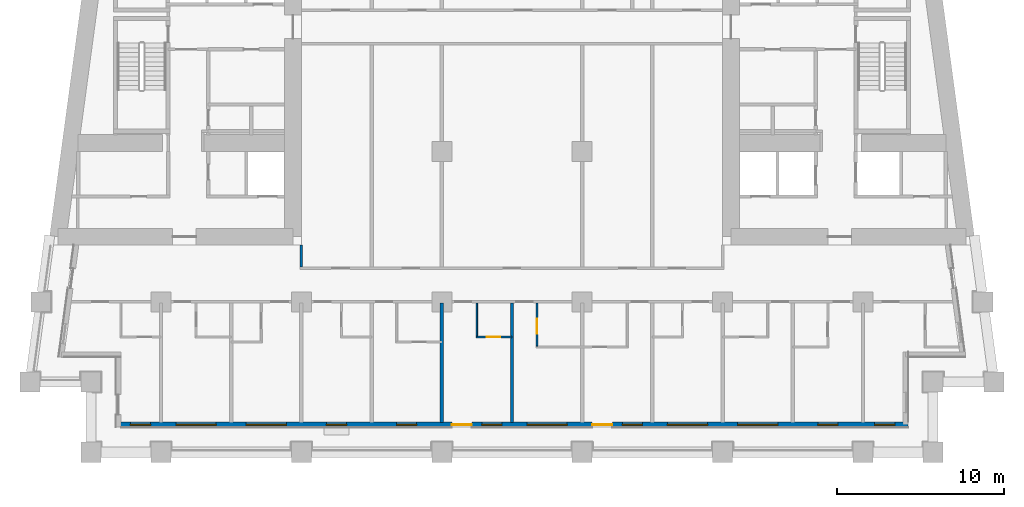
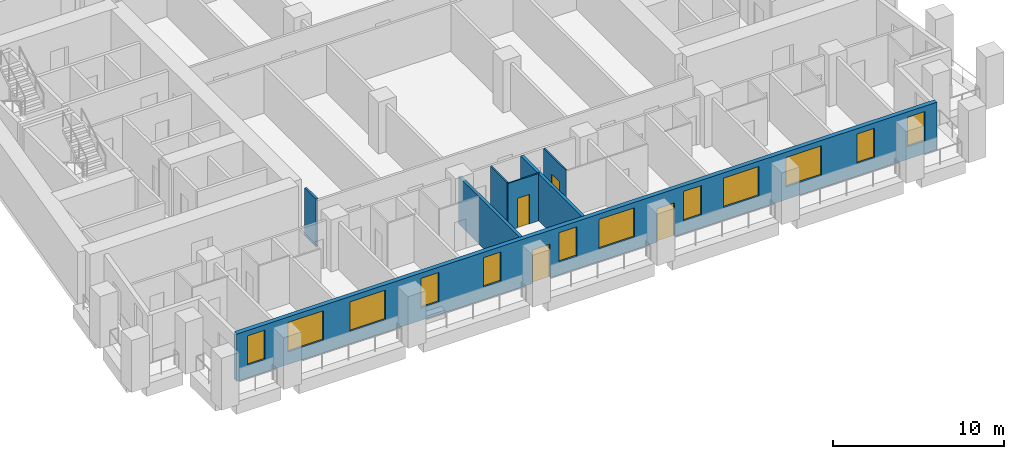
# One storey, part 3 of 14: 12 windows, 7 walls, 4 doors, 16 openings.
"""IFC4 building model written with IfcOpenShell, lengths in metres."""

from ifc_helpers import new_model, si_unit, direction, frame, frame_2d, origin, place, context, subcontext, project, spatial, rectangle, extrude, material, layer, layer_set, type_object, element, fill, save


model = new_model("IFC4")

# Units and contexts
model_context = context("Model", 3, precision=1e-05, world=origin(), true_north=direction((0.0, 1.0)))
body_context = subcontext(model_context, "Body", "Model", "MODEL_VIEW")
ifc_project = project(units=[si_unit("LENGTHUNIT", "METRE"), si_unit("AREAUNIT", "SQUARE_METRE"), si_unit("VOLUMEUNIT", "CUBIC_METRE"), si_unit("PLANEANGLEUNIT", "RADIAN"), si_unit("MASSUNIT", "GRAM", prefix="KILO")], contexts=[model_context])

# Site, building, storey
site_placement = place(None, origin())
site = spatial("IfcSite", under=ifc_project, at=site_placement, CompositionType="ELEMENT")
building_placement = place(site_placement, origin())
building = spatial("IfcBuilding", under=site, at=building_placement, Name="Candeia Pilgrim Tower and Theatre", CompositionType="ELEMENT")
storey_placement = place(building_placement, frame((0.0, 0.0, 120.60009765625)))
storey = spatial("IfcBuildingStorey", under=building, at=storey_placement, Name="L28", CompositionType="ELEMENT", Elevation=120.60009765625)

# Wall, openings, doors, windows
ifc_material_1 = material(Name="Ceramic block masonry", Category="masonry")
ifc_layer_1 = layer(ifc_material_1, 0.300048828125)
ifc_layer_set_1 = layer_set([ifc_layer_1], Name="EW1 glazing-line wall 300")
wall_type_1 = type_object("IfcWallType", Name="EW1 glazing-line wall 300", PredefinedType="SOLIDWALL", material=ifc_layer_set_1)
wall_1_placement = place(storey_placement, frame((89.85009765625, 99.64990234375, 0.0), z_axis=(0.0, 0.0, 1.0), x_axis=(1.0, 0.0, 0.0)))
wall_1 = element("IfcWall", 1, at=wall_1_placement, inside=storey, type_object=wall_type_1, Name="External wall L28-0.0", PredefinedType="SOLIDWALL", context=body_context, shape_type="SweptSolid", body=[
    extrude(rectangle(XDim=47.25, YDim=0.300048828125, at=frame_2d((23.625, 0.0))), origin(), (0.0, 0.0, 1.0), 3.3798828125),
])
opening_1_placement = place(wall_1_placement, frame((0.72509765625, 0.0, 0.89990234375)))
opening_1 = element("IfcOpeningElement", 2, at=opening_1_placement, cuts=wall_1, Name="Opening W-B", PredefinedType="OPENING", context=body_context, shape_type="SweptSolid", body=[
    extrude(rectangle(XDim=1.199951171875, YDim=2.10009765625, at=frame_2d((0.60009765625, 1.050048828125))), frame((0.0, 0.16015625, 0.0), z_axis=(0.0, -1.0, 0.0), x_axis=(1.0, 0.0, 0.0)), (0.0, 0.0, 1.0), 0.320068359375),
])
opening_2_placement = place(wall_1_placement, frame((3.449951171875, 0.0, 0.89990234375)))
opening_2 = element("IfcOpeningElement", 3, at=opening_2_placement, cuts=wall_1, Name="Opening W-A", PredefinedType="OPENING", context=body_context, shape_type="SweptSolid", body=[
    extrude(rectangle(XDim=2.39990234375, YDim=2.10009765625, at=frame_2d((1.199951171875, 1.050048828125))), frame((0.0, 0.16015625, 0.0), z_axis=(0.0, -1.0, 0.0), x_axis=(1.0, 0.0, 0.0)), (0.0, 0.0, 1.0), 0.320068359375),
])
opening_3_placement = place(wall_1_placement, frame((7.64990234375, 0.0, 0.89990234375)))
opening_3 = element("IfcOpeningElement", 4, at=opening_3_placement, cuts=wall_1, Name="Opening W-A", PredefinedType="OPENING", context=body_context, shape_type="SweptSolid", body=[
    extrude(rectangle(XDim=2.39990234375, YDim=2.10009765625, at=frame_2d((1.199951171875, 1.050048828125))), frame((0.0, 0.16015625, 0.0), z_axis=(0.0, -1.0, 0.0), x_axis=(1.0, 0.0, 0.0)), (0.0, 0.0, 1.0), 0.320068359375),
])
opening_4_placement = place(wall_1_placement, frame((12.449951171875, 0.0, 0.89990234375)))
opening_4 = element("IfcOpeningElement", 5, at=opening_4_placement, cuts=wall_1, Name="Opening W-B", PredefinedType="OPENING", context=body_context, shape_type="SweptSolid", body=[
    extrude(rectangle(XDim=1.199951171875, YDim=2.10009765625, at=frame_2d((0.60009765625, 1.050048828125))), frame((0.0, 0.16015625, 0.0), z_axis=(0.0, -1.0, 0.0), x_axis=(1.0, 0.0, 0.0)), (0.0, 0.0, 1.0), 0.320068359375),
])
opening_5_placement = place(wall_1_placement, frame((16.64990234375, 0.0, 0.89990234375)))
opening_5 = element("IfcOpeningElement", 6, at=opening_5_placement, cuts=wall_1, Name="Opening W-B", PredefinedType="OPENING", context=body_context, shape_type="SweptSolid", body=[
    extrude(rectangle(XDim=1.199951171875, YDim=2.10009765625, at=frame_2d((0.60009765625, 1.050048828125))), frame((0.0, 0.16015625, 0.0), z_axis=(0.0, -1.0, 0.0), x_axis=(1.0, 0.0, 0.0)), (0.0, 0.0, 1.0), 0.320068359375),
])
opening_6_placement = place(wall_1_placement, frame((19.949951171875, 0.0, 0.0)))
opening_6 = element("IfcOpeningElement", 7, at=opening_6_placement, cuts=wall_1, Name="Opening L28-ED281", PredefinedType="OPENING", context=body_context, shape_type="SweptSolid", body=[
    extrude(rectangle(XDim=1.199951171875, YDim=2.39990234375, at=frame_2d((0.60009765625, 1.199951171875))), frame((0.0, 0.16015625, 0.0), z_axis=(0.0, -1.0, 0.0), x_axis=(1.0, 0.0, 0.0)), (0.0, 0.0, 1.0), 0.320068359375),
])
opening_7_placement = place(wall_1_placement, frame((21.75, 0.0, 0.89990234375)))
opening_7 = element("IfcOpeningElement", 8, at=opening_7_placement, cuts=wall_1, Name="Opening W-B", PredefinedType="OPENING", context=body_context, shape_type="SweptSolid", body=[
    extrude(rectangle(XDim=1.199951171875, YDim=2.10009765625, at=frame_2d((0.60009765625, 1.050048828125))), frame((0.0, 0.16015625, 0.0), z_axis=(0.0, -1.0, 0.0), x_axis=(1.0, 0.0, 0.0)), (0.0, 0.0, 1.0), 0.320068359375),
])
opening_8_placement = place(wall_1_placement, frame((24.449951171875, 0.0, 0.89990234375)))
opening_8 = element("IfcOpeningElement", 9, at=opening_8_placement, cuts=wall_1, Name="Opening W-A", PredefinedType="OPENING", context=body_context, shape_type="SweptSolid", body=[
    extrude(rectangle(XDim=2.39990234375, YDim=2.10009765625, at=frame_2d((1.199951171875, 1.050048828125))), frame((0.0, 0.16015625, 0.0), z_axis=(0.0, -1.0, 0.0), x_axis=(1.0, 0.0, 0.0)), (0.0, 0.0, 1.0), 0.320068359375),
])
opening_9_placement = place(wall_1_placement, frame((28.35009765625, 0.0, 0.0)))
opening_9 = element("IfcOpeningElement", 10, at=opening_9_placement, cuts=wall_1, Name="Opening L28-ED282", PredefinedType="OPENING", context=body_context, shape_type="SweptSolid", body=[
    extrude(rectangle(XDim=1.199951171875, YDim=2.39990234375, at=frame_2d((0.60009765625, 1.199951171875))), frame((0.0, 0.16015625, 0.0), z_axis=(0.0, -1.0, 0.0), x_axis=(1.0, 0.0, 0.0)), (0.0, 0.0, 1.0), 0.320068359375),
])
opening_10_placement = place(wall_1_placement, frame((30.14990234375, 0.0, 0.89990234375)))
opening_10 = element("IfcOpeningElement", 11, at=opening_10_placement, cuts=wall_1, Name="Opening W-B", PredefinedType="OPENING", context=body_context, shape_type="SweptSolid", body=[
    extrude(rectangle(XDim=1.199951171875, YDim=2.10009765625, at=frame_2d((0.60009765625, 1.050048828125))), frame((0.0, 0.16015625, 0.0), z_axis=(0.0, -1.0, 0.0), x_axis=(1.0, 0.0, 0.0)), (0.0, 0.0, 1.0), 0.320068359375),
])
opening_11_placement = place(wall_1_placement, frame((32.85009765625, 0.0, 0.89990234375)))
opening_11 = element("IfcOpeningElement", 12, at=opening_11_placement, cuts=wall_1, Name="Opening W-A", PredefinedType="OPENING", context=body_context, shape_type="SweptSolid", body=[
    extrude(rectangle(XDim=2.39990234375, YDim=2.10009765625, at=frame_2d((1.199951171875, 1.050048828125))), frame((0.0, 0.16015625, 0.0), z_axis=(0.0, -1.0, 0.0), x_axis=(1.0, 0.0, 0.0)), (0.0, 0.0, 1.0), 0.320068359375),
])
opening_12_placement = place(wall_1_placement, frame((37.050048828125, 0.0, 0.89990234375)))
opening_12 = element("IfcOpeningElement", 13, at=opening_12_placement, cuts=wall_1, Name="Opening W-A", PredefinedType="OPENING", context=body_context, shape_type="SweptSolid", body=[
    extrude(rectangle(XDim=2.39990234375, YDim=2.10009765625, at=frame_2d((1.199951171875, 1.050048828125))), frame((0.0, 0.16015625, 0.0), z_axis=(0.0, -1.0, 0.0), x_axis=(1.0, 0.0, 0.0)), (0.0, 0.0, 1.0), 0.320068359375),
])
opening_13_placement = place(wall_1_placement, frame((41.85009765625, 0.0, 0.89990234375)))
opening_13 = element("IfcOpeningElement", 14, at=opening_13_placement, cuts=wall_1, Name="Opening W-B", PredefinedType="OPENING", context=body_context, shape_type="SweptSolid", body=[
    extrude(rectangle(XDim=1.199951171875, YDim=2.10009765625, at=frame_2d((0.60009765625, 1.050048828125))), frame((0.0, 0.16015625, 0.0), z_axis=(0.0, -1.0, 0.0), x_axis=(1.0, 0.0, 0.0)), (0.0, 0.0, 1.0), 0.320068359375),
])
opening_14_placement = place(wall_1_placement, frame((45.25, 0.0, 0.89990234375)))
opening_14 = element("IfcOpeningElement", 15, at=opening_14_placement, cuts=wall_1, Name="Opening W-B", PredefinedType="OPENING", context=body_context, shape_type="SweptSolid", body=[
    extrude(rectangle(XDim=1.199951171875, YDim=2.10009765625, at=frame_2d((0.60009765625, 1.050048828125))), frame((0.0, 0.16015625, 0.0), z_axis=(0.0, -1.0, 0.0), x_axis=(1.0, 0.0, 0.0)), (0.0, 0.0, 1.0), 0.320068359375),
])
ifc_material_2 = material(Name="Aluminium framed glazed door", Category="aluminium")
door_type_1 = type_object("IfcDoorType", Name="Loggia door 1200x2400", OperationType="DOUBLE_DOOR_SINGLE_SWING", PredefinedType="DOOR", material=ifc_material_2)
door_1_placement = place(opening_6_placement, origin())
door_1 = element("IfcDoor", 16, at=door_1_placement, inside=storey, type_object=door_type_1, Name="Loggia door L28-ED281", OperationType="DOUBLE_DOOR_SINGLE_SWING", OverallHeight=2.39990234375, OverallWidth=1.199951171875, PredefinedType="DOOR", context=body_context, shape_type="SweptSolid", body=[
    extrude(rectangle(XDim=1.199951171875, YDim=2.39990234375, at=frame_2d((0.60009765625, 1.199951171875))), frame((0.0, 0.02490234375, 0.0), z_axis=(0.0, -1.0, 0.0), x_axis=(1.0, 0.0, 0.0)), (0.0, 0.0, 1.0), 0.050048828125),
])
fill(opening_6, door_1)
door_2_placement = place(opening_9_placement, origin())
door_2 = element("IfcDoor", 17, at=door_2_placement, inside=storey, type_object=door_type_1, Name="Loggia door L28-ED282", OperationType="DOUBLE_DOOR_SINGLE_SWING", OverallHeight=2.39990234375, OverallWidth=1.199951171875, PredefinedType="DOOR", context=body_context, shape_type="SweptSolid", body=[
    extrude(rectangle(XDim=1.199951171875, YDim=2.39990234375, at=frame_2d((0.60009765625, 1.199951171875))), frame((0.0, 0.02490234375, 0.0), z_axis=(0.0, -1.0, 0.0), x_axis=(1.0, 0.0, 0.0)), (0.0, 0.0, 1.0), 0.050048828125),
])
fill(opening_9, door_2)
ifc_material_3 = material(Name="Aluminium framed double glazing", Category="aluminium")
window_type_1 = type_object("IfcWindowType", Name="W-A window 2400x2100", PartitioningType="DOUBLE_PANEL_VERTICAL", PredefinedType="WINDOW", material=ifc_material_3)
window_1_placement = place(opening_2_placement, origin())
window_1 = element("IfcWindow", 18, at=window_1_placement, inside=storey, type_object=window_type_1, Name="Window W-A L28", OverallHeight=2.10009765625, OverallWidth=2.39990234375, PartitioningType="SINGLE_PANEL", PredefinedType="WINDOW", context=body_context, shape_type="SweptSolid", body=[
    extrude(rectangle(XDim=2.39990234375, YDim=2.10009765625, at=frame_2d((1.199951171875, 1.050048828125))), frame((0.0, 0.030029296875, 0.0), z_axis=(0.0, -1.0, 0.0), x_axis=(1.0, 0.0, 0.0)), (0.0, 0.0, 1.0), 0.06005859375),
])
fill(opening_2, window_1)
window_2_placement = place(opening_3_placement, origin())
window_2 = element("IfcWindow", 19, at=window_2_placement, inside=storey, type_object=window_type_1, Name="Window W-A L28", OverallHeight=2.10009765625, OverallWidth=2.39990234375, PartitioningType="SINGLE_PANEL", PredefinedType="WINDOW", context=body_context, shape_type="SweptSolid", body=[
    extrude(rectangle(XDim=2.39990234375, YDim=2.10009765625, at=frame_2d((1.199951171875, 1.050048828125))), frame((0.0, 0.030029296875, 0.0), z_axis=(0.0, -1.0, 0.0), x_axis=(1.0, 0.0, 0.0)), (0.0, 0.0, 1.0), 0.06005859375),
])
fill(opening_3, window_2)
window_3_placement = place(opening_8_placement, origin())
window_3 = element("IfcWindow", 20, at=window_3_placement, inside=storey, type_object=window_type_1, Name="Window W-A L28", OverallHeight=2.10009765625, OverallWidth=2.39990234375, PartitioningType="SINGLE_PANEL", PredefinedType="WINDOW", context=body_context, shape_type="SweptSolid", body=[
    extrude(rectangle(XDim=2.39990234375, YDim=2.10009765625, at=frame_2d((1.199951171875, 1.050048828125))), frame((0.0, 0.030029296875, 0.0), z_axis=(0.0, -1.0, 0.0), x_axis=(1.0, 0.0, 0.0)), (0.0, 0.0, 1.0), 0.06005859375),
])
fill(opening_8, window_3)
window_4_placement = place(opening_11_placement, origin())
window_4 = element("IfcWindow", 21, at=window_4_placement, inside=storey, type_object=window_type_1, Name="Window W-A L28", OverallHeight=2.10009765625, OverallWidth=2.39990234375, PartitioningType="SINGLE_PANEL", PredefinedType="WINDOW", context=body_context, shape_type="SweptSolid", body=[
    extrude(rectangle(XDim=2.39990234375, YDim=2.10009765625, at=frame_2d((1.199951171875, 1.050048828125))), frame((0.0, 0.030029296875, 0.0), z_axis=(0.0, -1.0, 0.0), x_axis=(1.0, 0.0, 0.0)), (0.0, 0.0, 1.0), 0.06005859375),
])
fill(opening_11, window_4)
window_5_placement = place(opening_12_placement, origin())
window_5 = element("IfcWindow", 22, at=window_5_placement, inside=storey, type_object=window_type_1, Name="Window W-A L28", OverallHeight=2.10009765625, OverallWidth=2.39990234375, PartitioningType="SINGLE_PANEL", PredefinedType="WINDOW", context=body_context, shape_type="SweptSolid", body=[
    extrude(rectangle(XDim=2.39990234375, YDim=2.10009765625, at=frame_2d((1.199951171875, 1.050048828125))), frame((0.0, 0.030029296875, 0.0), z_axis=(0.0, -1.0, 0.0), x_axis=(1.0, 0.0, 0.0)), (0.0, 0.0, 1.0), 0.06005859375),
])
fill(opening_12, window_5)
window_type_2 = type_object("IfcWindowType", Name="W-B window 1200x2100", PartitioningType="SINGLE_PANEL", PredefinedType="WINDOW", material=ifc_material_3)
window_6_placement = place(opening_1_placement, origin())
window_6 = element("IfcWindow", 23, at=window_6_placement, inside=storey, type_object=window_type_2, Name="Window W-B L28", OverallHeight=2.10009765625, OverallWidth=1.199951171875, PartitioningType="SINGLE_PANEL", PredefinedType="WINDOW", context=body_context, shape_type="SweptSolid", body=[
    extrude(rectangle(XDim=1.199951171875, YDim=2.10009765625, at=frame_2d((0.60009765625, 1.050048828125))), frame((0.0, 0.030029296875, 0.0), z_axis=(0.0, -1.0, 0.0), x_axis=(1.0, 0.0, 0.0)), (0.0, 0.0, 1.0), 0.06005859375),
])
fill(opening_1, window_6)
window_7_placement = place(opening_4_placement, origin())
window_7 = element("IfcWindow", 24, at=window_7_placement, inside=storey, type_object=window_type_2, Name="Window W-B L28", OverallHeight=2.10009765625, OverallWidth=1.199951171875, PartitioningType="SINGLE_PANEL", PredefinedType="WINDOW", context=body_context, shape_type="SweptSolid", body=[
    extrude(rectangle(XDim=1.199951171875, YDim=2.10009765625, at=frame_2d((0.60009765625, 1.050048828125))), frame((0.0, 0.030029296875, 0.0), z_axis=(0.0, -1.0, 0.0), x_axis=(1.0, 0.0, 0.0)), (0.0, 0.0, 1.0), 0.06005859375),
])
fill(opening_4, window_7)
window_8_placement = place(opening_5_placement, origin())
window_8 = element("IfcWindow", 25, at=window_8_placement, inside=storey, type_object=window_type_2, Name="Window W-B L28", OverallHeight=2.10009765625, OverallWidth=1.199951171875, PartitioningType="SINGLE_PANEL", PredefinedType="WINDOW", context=body_context, shape_type="SweptSolid", body=[
    extrude(rectangle(XDim=1.199951171875, YDim=2.10009765625, at=frame_2d((0.60009765625, 1.050048828125))), frame((0.0, 0.030029296875, 0.0), z_axis=(0.0, -1.0, 0.0), x_axis=(1.0, 0.0, 0.0)), (0.0, 0.0, 1.0), 0.06005859375),
])
fill(opening_5, window_8)
window_9_placement = place(opening_7_placement, origin())
window_9 = element("IfcWindow", 26, at=window_9_placement, inside=storey, type_object=window_type_2, Name="Window W-B L28", OverallHeight=2.10009765625, OverallWidth=1.199951171875, PartitioningType="SINGLE_PANEL", PredefinedType="WINDOW", context=body_context, shape_type="SweptSolid", body=[
    extrude(rectangle(XDim=1.199951171875, YDim=2.10009765625, at=frame_2d((0.60009765625, 1.050048828125))), frame((0.0, 0.030029296875, 0.0), z_axis=(0.0, -1.0, 0.0), x_axis=(1.0, 0.0, 0.0)), (0.0, 0.0, 1.0), 0.06005859375),
])
fill(opening_7, window_9)
window_10_placement = place(opening_10_placement, origin())
window_10 = element("IfcWindow", 27, at=window_10_placement, inside=storey, type_object=window_type_2, Name="Window W-B L28", OverallHeight=2.10009765625, OverallWidth=1.199951171875, PartitioningType="SINGLE_PANEL", PredefinedType="WINDOW", context=body_context, shape_type="SweptSolid", body=[
    extrude(rectangle(XDim=1.199951171875, YDim=2.10009765625, at=frame_2d((0.60009765625, 1.050048828125))), frame((0.0, 0.030029296875, 0.0), z_axis=(0.0, -1.0, 0.0), x_axis=(1.0, 0.0, 0.0)), (0.0, 0.0, 1.0), 0.06005859375),
])
fill(opening_10, window_10)
window_11_placement = place(opening_13_placement, origin())
window_11 = element("IfcWindow", 28, at=window_11_placement, inside=storey, type_object=window_type_2, Name="Window W-B L28", OverallHeight=2.10009765625, OverallWidth=1.199951171875, PartitioningType="SINGLE_PANEL", PredefinedType="WINDOW", context=body_context, shape_type="SweptSolid", body=[
    extrude(rectangle(XDim=1.199951171875, YDim=2.10009765625, at=frame_2d((0.60009765625, 1.050048828125))), frame((0.0, 0.030029296875, 0.0), z_axis=(0.0, -1.0, 0.0), x_axis=(1.0, 0.0, 0.0)), (0.0, 0.0, 1.0), 0.06005859375),
])
fill(opening_13, window_11)
window_12_placement = place(opening_14_placement, origin())
window_12 = element("IfcWindow", 29, at=window_12_placement, inside=storey, type_object=window_type_2, Name="Window W-B L28", OverallHeight=2.10009765625, OverallWidth=1.199951171875, PartitioningType="SINGLE_PANEL", PredefinedType="WINDOW", context=body_context, shape_type="SweptSolid", body=[
    extrude(rectangle(XDim=1.199951171875, YDim=2.10009765625, at=frame_2d((0.60009765625, 1.050048828125))), frame((0.0, 0.030029296875, 0.0), z_axis=(0.0, -1.0, 0.0), x_axis=(1.0, 0.0, 0.0)), (0.0, 0.0, 1.0), 0.06005859375),
])
fill(opening_14, window_12)

# Wall, opening, door
ifc_material_4 = material(Name="Gypsum board partition on steel studs", Category="steel")
ifc_layer_2 = layer(ifc_material_4, 0.10009765625)
ifc_layer_set_2 = layer_set([ifc_layer_2], Name="PW-100 room partition")
wall_type_2 = type_object("IfcWallType", Name="PW-100 room partition", PredefinedType="PARTITIONING", material=ifc_layer_set_2)
wall_2_placement = place(storey_placement, frame((111.25, 104.89990234375, 0.0), z_axis=(0.0, 0.0, 1.0), x_axis=(1.0, 0.0, 0.0)))
wall_2 = element("IfcWall", 30, at=wall_2_placement, inside=storey, type_object=wall_type_2, Name="Room partition L28-009", PredefinedType="PARTITIONING", context=body_context, shape_type="SweptSolid", body=[
    extrude(rectangle(XDim=2.14990234375, YDim=0.10009765625, at=frame_2d((1.074951171875, 0.0))), origin(), (0.0, 0.0, 1.0), 3.3798828125),
])
opening_15_placement = place(wall_2_placement, frame((0.639892578125, 0.0, 0.0)))
opening_15 = element("IfcOpeningElement", 31, at=opening_15_placement, cuts=wall_2, Name="Opening L28-D025", PredefinedType="OPENING", context=body_context, shape_type="SweptSolid", body=[
    extrude(rectangle(XDim=0.800048828125, YDim=2.10009765625, at=frame_2d((0.39990234375, 1.050048828125))), frame((0.0, 0.06005859375, 0.0), z_axis=(0.0, -1.0, 0.0), x_axis=(1.0, 0.0, 0.0)), (0.0, 0.0, 1.0), 0.1201171875),
])
ifc_material_5 = material(Name="Timber door leaf", Category="wood")
door_type_2 = type_object("IfcDoorType", Name="D-800", OperationType="NOTDEFINED", PredefinedType="DOOR", material=ifc_material_5)
door_3_placement = place(opening_15_placement, origin())
door_3 = element("IfcDoor", 32, at=door_3_placement, inside=storey, type_object=door_type_2, Name="Door L28-D025", OperationType="SINGLE_SWING_LEFT", OverallHeight=2.10009765625, OverallWidth=0.800048828125, PredefinedType="DOOR", context=body_context, shape_type="SweptSolid", body=[
    extrude(rectangle(XDim=0.800048828125, YDim=2.10009765625, at=frame_2d((0.39990234375, 1.050048828125))), frame((0.0, 0.02490234375, 0.0), z_axis=(0.0, -1.0, 0.0), x_axis=(1.0, 0.0, 0.0)), (0.0, 0.0, 1.0), 0.050048828125),
])
fill(opening_15, door_3)

# Wall
wall_3_placement = place(storey_placement, frame((111.300048828125, 104.949951171875, 0.0), z_axis=(0.0, 0.0, 1.0), x_axis=(0.0, 1.0, 0.0)))
element("IfcWall", 33, at=wall_3_placement, inside=storey, type_object=wall_type_2, Name="Room partition L28-092", PredefinedType="PARTITIONING", context=body_context, shape_type="SweptSolid", body=[
    extrude(rectangle(XDim=1.97509765625, YDim=0.10009765625, at=frame_2d((0.987548828125, 0.0))), origin(), (0.0, 0.0, 1.0), 3.3798828125),
])

# Wall, opening, door
wall_4_placement = place(storey_placement, frame((114.89990234375, 104.35009765625, 0.0), z_axis=(0.0, 0.0, 1.0), x_axis=(0.0, 1.0, 0.0)))
wall_4 = element("IfcWall", 34, at=wall_4_placement, inside=storey, type_object=wall_type_2, Name="Room partition L28-095", PredefinedType="PARTITIONING", context=body_context, shape_type="SweptSolid", body=[
    extrude(rectangle(XDim=2.574951171875, YDim=0.10009765625, at=frame_2d((1.28759765625, 0.0))), origin(), (0.0, 0.0, 1.0), 3.3798828125),
])
opening_16_placement = place(wall_4_placement, frame((0.739990234375, 0.0, 0.0)))
opening_16 = element("IfcOpeningElement", 35, at=opening_16_placement, cuts=wall_4, Name="Opening L28-D027", PredefinedType="OPENING", context=body_context, shape_type="SweptSolid", body=[
    extrude(rectangle(XDim=0.89990234375, YDim=2.10009765625, at=frame_2d((0.449951171875, 1.050048828125))), frame((0.0, 0.06005859375, 0.0), z_axis=(0.0, -1.0, 0.0), x_axis=(1.0, 0.0, 0.0)), (0.0, 0.0, 1.0), 0.1201171875),
])
door_type_3 = type_object("IfcDoorType", Name="D-900", OperationType="NOTDEFINED", PredefinedType="DOOR", material=ifc_material_5)
door_4_placement = place(opening_16_placement, origin())
door_4 = element("IfcDoor", 36, at=door_4_placement, inside=storey, type_object=door_type_3, Name="Door L28-D027", OperationType="SINGLE_SWING_LEFT", OverallHeight=2.10009765625, OverallWidth=0.89990234375, PredefinedType="DOOR", context=body_context, shape_type="SweptSolid", body=[
    extrude(rectangle(XDim=0.89990234375, YDim=2.10009765625, at=frame_2d((0.449951171875, 1.050048828125))), frame((0.0, 0.02490234375, 0.0), z_axis=(0.0, -1.0, 0.0), x_axis=(1.0, 0.0, 0.0)), (0.0, 0.0, 1.0), 0.050048828125),
])
fill(opening_16, door_4)

# Walls
ifc_layer_3 = layer(ifc_material_4, 0.14990234375)
ifc_layer_set_3 = layer_set([ifc_layer_3], Name="PW-150 unit wall")
wall_type_3 = type_object("IfcWallType", Name="PW-150 unit wall", PredefinedType="PARTITIONING", material=ifc_layer_set_3)
wall_5_placement = place(storey_placement, frame((100.800048828125, 109.074951171875, 0.0), z_axis=(0.0, 0.0, 1.0), x_axis=(0.0, 1.0, 0.0)))
element("IfcWall", 37, at=wall_5_placement, inside=storey, type_object=wall_type_3, Name="Unit wall L28-078", PredefinedType="PARTITIONING", context=body_context, shape_type="SweptSolid", body=[
    extrude(rectangle(XDim=1.324951171875, YDim=0.14990234375, at=frame_2d((0.66259765625, 0.0))), origin(), (0.0, 0.0, 1.0), 3.3798828125),
])
ifc_layer_4 = layer(ifc_material_4, 0.199951171875)
ifc_layer_set_4 = layer_set([ifc_layer_4], Name="PW-200 party wall")
wall_type_4 = type_object("IfcWallType", Name="PW-200 party wall", PredefinedType="PARTITIONING", material=ifc_layer_set_4)
for number, where, z_axis, x_axis, name in (
    (38, (109.199951171875, 99.7900390625, 0.0), (0.0, 0.0, 1.0), (0.0, 1.0, 0.0), "Party wall L28-087"),
    (39, (113.39990234375, 99.7900390625, 0.0), (0.0, 0.0, 1.0), (0.0, 1.0, 0.0), "Party wall L28-093"),
):
    element("IfcWall", number, at=place(storey_placement, frame(where, z_axis=z_axis, x_axis=x_axis)), inside=storey, type_object=wall_type_4, Name=name, PredefinedType="PARTITIONING", context=body_context, shape_type="SweptSolid", body=[
        extrude(rectangle(XDim=7.135009765625, YDim=0.199951171875, at=frame_2d((3.5673828125, 0.0))), origin(), (0.0, 0.0, 1.0), 3.3798828125),
    ])

save(model, "model.ifc")
